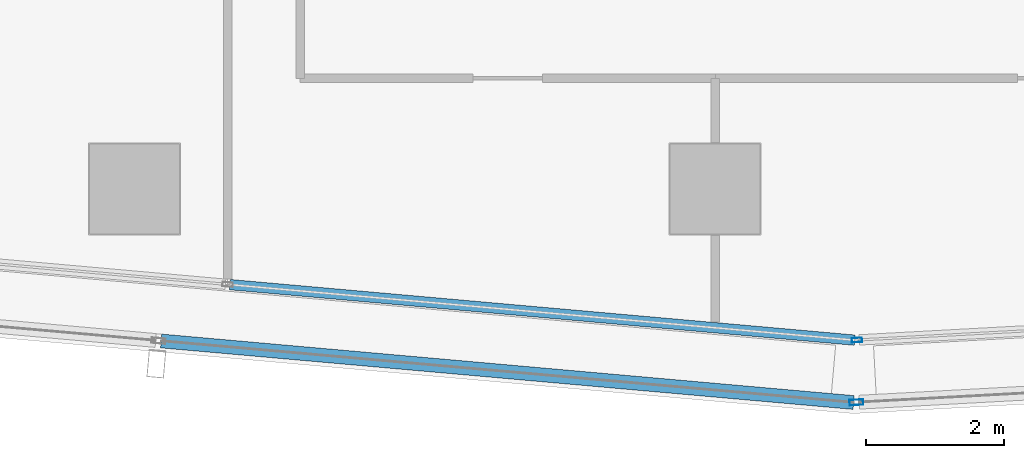
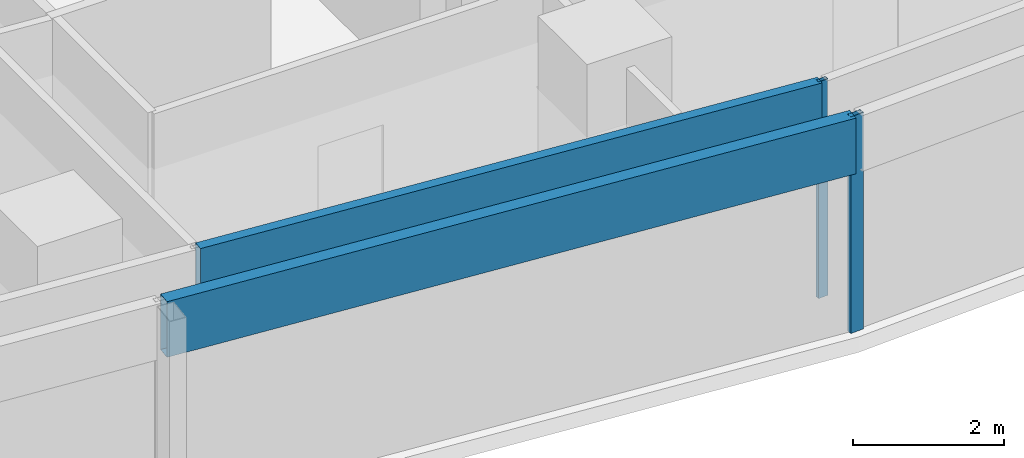
# One storey, part 5 of 30: 4 members, 4 elements without a shape of their own.
"""IFC4 building model written with IfcOpenShell, lengths in metres."""

from ifc_helpers import new_model, si_unit, direction, frame, origin, origin_2d, place, context, subcontext, project, spatial, hollow_rectangle, extrude, material, material_profile, profile_set, type_object, element, aggregate, save


model = new_model("IFC4")

# Units and contexts
model_context = context("Model", 3, precision=1e-05, world=origin(), true_north=direction((0.0, 1.0)))
body_context = subcontext(model_context, "Body", "Model", "MODEL_VIEW")
ifc_project = project(units=[si_unit("LENGTHUNIT", "METRE"), si_unit("AREAUNIT", "SQUARE_METRE"), si_unit("VOLUMEUNIT", "CUBIC_METRE"), si_unit("PLANEANGLEUNIT", "RADIAN"), si_unit("MASSUNIT", "GRAM", prefix="KILO")], contexts=[model_context])

# Site, building, storey
site_placement = place(None, origin())
site = spatial("IfcSite", under=ifc_project, at=site_placement, CompositionType="ELEMENT")
building_placement = place(site_placement, origin())
building = spatial("IfcBuilding", under=site, at=building_placement, Name="Rekha Terrace Tower", CompositionType="ELEMENT")
storey_placement = place(building_placement, frame((0.0, 0.0, 272.60009765625)))
storey = spatial("IfcBuildingStorey", under=building, at=storey_placement, Name="L69", CompositionType="ELEMENT", Elevation=272.60009765625)

# Curtain wall, member
ifc_material_1 = material(Name="Aluminium framing", Category="aluminium")
curtain_wall_type_1 = type_object("IfcCurtainWallType", Name="CW1 double skin inner glazing", PredefinedType="USERDEFINED", material=ifc_material_1)
curtain_wall_1_placement = place(storey_placement, origin())
curtain_wall_1 = element("IfcCurtainWall", 1, at=curtain_wall_1_placement, inside=storey, type_object=curtain_wall_type_1, Name="CW1 double skin inner glazing", ObjectType="DOUBLE SKIN INNER GLAZING", PredefinedType="USERDEFINED")
ifc_material_2 = material(Name="Aluminium mullion section", Category="aluminium")
ifc_material_profile_1 = material_profile(ifc_material_2, hollow_rectangle(XDim=0.06494140625, YDim=0.14990234375, WallThickness=0.00390625, at=origin_2d()), Name="AL RHS 65x150")
ifc_profile_set_1 = profile_set([ifc_material_profile_1], Name="Aluminium mullion section")
member_type_1 = type_object("IfcMemberType", Name="CW1 mullion RHS 65 x 150", PredefinedType="MULLION", material=ifc_profile_set_1)
member_1_placement = place(storey_placement, frame((27.254638671875, 14.6142578125, 0.0), z_axis=(0.0, 0.0, 1.0), x_axis=(-0.054388903036, 0.998519828159, 0.0)))
member_1 = element("IfcMember", 2, at=member_1_placement, type_object=member_type_1, Name="CW1 mullion 1", PredefinedType="MULLION", context=body_context, shape_type="SweptSolid", body=[
    extrude(hollow_rectangle(XDim=0.06494140625, YDim=0.14990234375, WallThickness=0.00390625, at=origin_2d()), origin(), (0.0, 0.0, 1.0), 3.5),
])
aggregate(curtain_wall_1, [member_1])

curtain_wall_2_placement = place(storey_placement, origin())
curtain_wall_2 = element("IfcCurtainWall", 3, at=curtain_wall_2_placement, inside=storey, type_object=curtain_wall_type_1, Name="CW1 double skin inner glazing", ObjectType="DOUBLE SKIN INNER GLAZING", PredefinedType="USERDEFINED")
ifc_material_3 = material(Name="Insulated aluminium spandrel box", Category="aluminium")
ifc_material_profile_2 = material_profile(ifc_material_3, hollow_rectangle(XDim=0.14990234375, YDim=0.89990234375, WallThickness=0.0029296875, at=origin_2d()), Name="AL SPANDREL BOX 150x900")
ifc_profile_set_2 = profile_set([ifc_material_profile_2], Name="Insulated aluminium spandrel box")
member_type_2 = type_object("IfcMemberType", Name="CW1 spandrel transom 150 x 900", PredefinedType="USERDEFINED", material=ifc_profile_set_2)
member_2_placement = place(storey_placement, frame((18.181884765625, 15.416015625, 3.0498046875), z_axis=(0.996073747712, -0.088527335432, 0.0), x_axis=(0.088527335432, 0.996073747712, 0.0)))
member_2 = element("IfcMember", 4, at=member_2_placement, type_object=member_type_2, Name="CW1 spandrel transom 2", ObjectType="TRANSOM", PredefinedType="USERDEFINED", context=body_context, shape_type="SweptSolid", body=[
    extrude(hollow_rectangle(XDim=0.14990234375, YDim=0.89990234375, WallThickness=0.0029296875, at=origin_2d()), origin(), (0.0, 0.0, 1.0), 9.075927734375),
])
aggregate(curtain_wall_2, [member_2])

curtain_wall_type_2 = type_object("IfcCurtainWallType", Name="CW2 double skin outer glazing", PredefinedType="USERDEFINED", material=ifc_material_1)
curtain_wall_3_placement = place(storey_placement, origin())
curtain_wall_3 = element("IfcCurtainWall", 5, at=curtain_wall_3_placement, inside=storey, type_object=curtain_wall_type_2, Name="CW2 double skin outer glazing", ObjectType="DOUBLE SKIN OUTER GLAZING", PredefinedType="USERDEFINED")
ifc_material_profile_3 = material_profile(ifc_material_2, hollow_rectangle(XDim=0.080078125, YDim=0.199951171875, WallThickness=0.00390625, at=origin_2d()), Name="AL RHS 80x200")
ifc_profile_set_3 = profile_set([ifc_material_profile_3], Name="Aluminium mullion section")
member_type_3 = type_object("IfcMemberType", Name="CW2 mullion RHS 80 x 200", PredefinedType="MULLION", material=ifc_profile_set_3)
member_3_placement = place(storey_placement, frame((27.24658203125, 13.712646484375, 0.0), z_axis=(0.0, 0.0, 1.0), x_axis=(-0.054388903071, 0.998519828157, 0.0)))
member_3 = element("IfcMember", 6, at=member_3_placement, type_object=member_type_3, Name="CW2 mullion 1", PredefinedType="MULLION", context=body_context, shape_type="SweptSolid", body=[
    extrude(hollow_rectangle(XDim=0.080078125, YDim=0.199951171875, WallThickness=0.00390625, at=origin_2d()), origin(), (0.0, 0.0, 1.0), 3.5),
])
aggregate(curtain_wall_3, [member_3])

curtain_wall_4_placement = place(storey_placement, origin())
curtain_wall_4 = element("IfcCurtainWall", 7, at=curtain_wall_4_placement, inside=storey, type_object=curtain_wall_type_2, Name="CW2 double skin outer glazing", ObjectType="DOUBLE SKIN OUTER GLAZING", PredefinedType="USERDEFINED")
ifc_material_profile_4 = material_profile(ifc_material_3, hollow_rectangle(XDim=0.199951171875, YDim=0.89990234375, WallThickness=0.0029296875, at=origin_2d()), Name="AL SPANDREL BOX 200x900")
ifc_profile_set_4 = profile_set([ifc_material_profile_4], Name="Insulated aluminium spandrel box")
member_type_4 = type_object("IfcMemberType", Name="CW2 spandrel transom 200 x 900", PredefinedType="USERDEFINED", material=ifc_profile_set_4)
member_4_placement = place(storey_placement, frame((17.188232421875, 14.600830078125, 3.0498046875), z_axis=(0.996074020135, -0.088524270188, 0.0), x_axis=(0.088524270188, 0.996074020135, 0.0)))
member_4 = element("IfcMember", 8, at=member_4_placement, type_object=member_type_4, Name="CW2 spandrel transom 2", ObjectType="TRANSOM", PredefinedType="USERDEFINED", context=body_context, shape_type="SweptSolid", body=[
    extrude(hollow_rectangle(XDim=0.199951171875, YDim=0.89990234375, WallThickness=0.0029296875, at=origin_2d()), origin(), (0.0, 0.0, 1.0), 10.05810546875),
])
aggregate(curtain_wall_4, [member_4])

save(model, "model.ifc")
